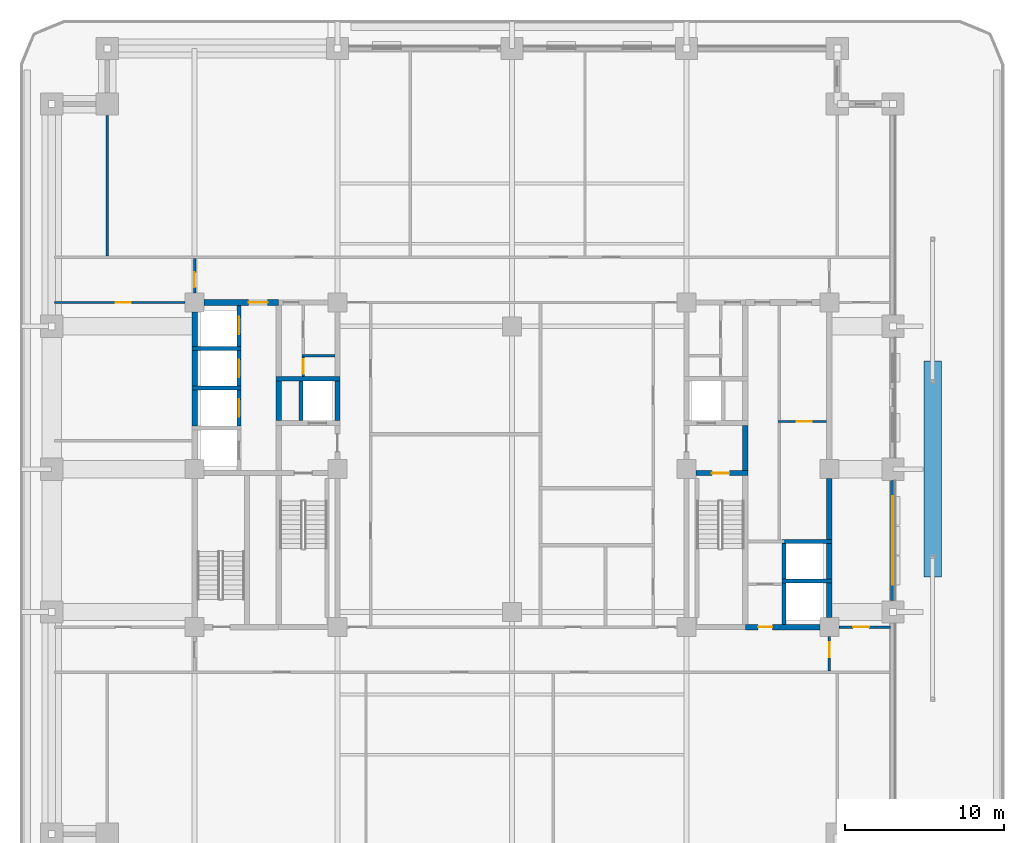
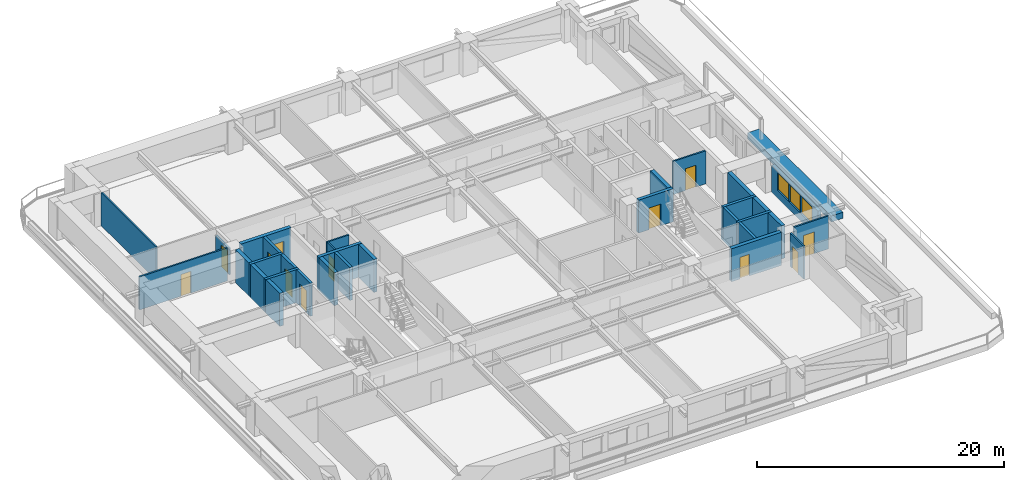
# One storey, part 7 of 18: 33 walls, 12 doors, 3 windows, 15 openings.
"""IFC4 building model written with IfcOpenShell, lengths in metres."""

from ifc_helpers import new_model, si_unit, direction, frame, frame_2d, origin, place, context, subcontext, project, spatial, rectangle, extrude, material, layer, layer_set, type_object, element, fill, save


model = new_model("IFC4")

# Units and contexts
model_context = context("Model", 3, precision=1e-05, world=origin(), true_north=direction((0.0, 1.0)))
body_context = subcontext(model_context, "Body", "Model", "MODEL_VIEW")
ifc_project = project(units=[si_unit("LENGTHUNIT", "METRE"), si_unit("AREAUNIT", "SQUARE_METRE"), si_unit("VOLUMEUNIT", "CUBIC_METRE"), si_unit("PLANEANGLEUNIT", "RADIAN"), si_unit("MASSUNIT", "GRAM", prefix="KILO")], contexts=[model_context])

# Site, building, storey
site_placement = place(None, origin())
site = spatial("IfcSite", under=ifc_project, at=site_placement, CompositionType="ELEMENT")
building_placement = place(site_placement, origin())
building = spatial("IfcBuilding", under=site, at=building_placement, Name="Zulmaris Gate Convention Tower", CompositionType="ELEMENT")
storey_placement = place(building_placement, frame((0.0, 0.0, 57.18994140625)))
storey = spatial("IfcBuildingStorey", under=building, at=storey_placement, Name="L13", CompositionType="ELEMENT", Elevation=57.18994140625)

# Walls
ifc_material_1 = material(Name="Concrete C50/60", Category="concrete")
ifc_layer_1 = layer(ifc_material_1, 0.25, Name="Concrete C50/60")
ifc_layer_set_1 = layer_set([ifc_layer_1], Name="Concrete C50/60")
wall_type_1 = type_object("IfcWallType", Name="CORE-250", PredefinedType="SOLIDWALL", material=ifc_layer_set_1)
for number, where, z_axis, x_axis, name in (
    (1, (17.02490234375, -7.050048828125, 0.0), (0.0, 0.0, 1.0), (1.0, 0.0, 0.0), "WL-L13-005"),
    (2, (17.02490234375, -4.550048828125, 0.0), (0.0, 0.0, 1.0), (1.0, 0.0, 0.0), "WL-L13-006"),
):
    element("IfcWall", number, at=place(storey_placement, frame(where, z_axis=z_axis, x_axis=x_axis)), inside=storey, type_object=wall_type_1, Name=name, PredefinedType="SOLIDWALL", context=body_context, shape_type="SweptSolid", body=[
        extrude(rectangle(XDim=3.150146484375, YDim=0.25, at=frame_2d((1.5751953125, 0.0))), origin(), (0.0, 0.0, 1.0), 3.27001953125),
    ])
for number, where, z_axis, x_axis, name in (
    (3, (-20.175048828125, 5.10009765625, 0.0), (0.0, 0.0, 1.0), (1.0, 0.0, 0.0), "WL-L13-012"),
    (4, (-20.175048828125, 7.60009765625, 0.0), (0.0, 0.0, 1.0), (1.0, 0.0, 0.0), "WL-L13-015"),
):
    element("IfcWall", number, at=place(storey_placement, frame(where, z_axis=z_axis, x_axis=x_axis)), inside=storey, type_object=wall_type_1, Name=name, PredefinedType="SOLIDWALL", context=body_context, shape_type="SweptSolid", body=[
        extrude(rectangle(XDim=3.10009765625, YDim=0.25, at=frame_2d((1.550048828125, 0.0))), origin(), (0.0, 0.0, 1.0), 3.27001953125),
    ])

# Wall, opening, door
wall_1_placement = place(storey_placement, frame((-17.199951171875, 2.72705078125, 0.0), z_axis=(0.0, 0.0, 1.0), x_axis=(0.0, 1.0, 0.0)))
wall_1 = element("IfcWall", 5, at=wall_1_placement, inside=storey, type_object=wall_type_1, Name="WL-L13-043", PredefinedType="SOLIDWALL", context=body_context, shape_type="SweptSolid", body=[
    extrude(rectangle(XDim=2.245849609375, YDim=0.25, at=frame_2d((1.123046875, 0.0))), origin(), (0.0, 0.0, 1.0), 3.27001953125),
])
opening_1_placement = place(wall_1_placement, frame((0.572998046875, 0.0, 0.0)))
opening_1 = element("IfcOpeningElement", 6, at=opening_1_placement, cuts=wall_1, Name="Opening D-06", PredefinedType="OPENING", context=body_context, shape_type="SweptSolid", body=[
    extrude(rectangle(XDim=1.10009765625, YDim=2.199951171875, at=frame_2d((0.550048828125, 1.10009765625))), frame((0.0, 0.135009765625, 0.0), z_axis=(0.0, -1.0, 0.0), x_axis=(1.0, 0.0, 0.0)), (0.0, 0.0, 1.0), 0.27001953125),
])
ifc_material_2 = material(Name="Brushed Stainless Steel", Category="steel")
door_type_1 = type_object("IfcDoorType", Name="LD-1100", OperationType="NOTDEFINED", PredefinedType="DOOR", material=ifc_material_2)
door_1_placement = place(opening_1_placement, origin())
door_1 = element("IfcDoor", 7, at=door_1_placement, inside=storey, type_object=door_type_1, Name="L13 Lift Landing Door LP-02 16", OperationType="SLIDING_TO_LEFT", OverallHeight=2.199951171875, OverallWidth=1.10009765625, PredefinedType="DOOR", context=body_context, shape_type="SweptSolid", body=[
    extrude(rectangle(XDim=1.10009765625, YDim=2.199951171875, at=frame_2d((0.550048828125, 1.10009765625))), frame((0.0, 0.02490234375, 0.0), z_axis=(0.0, -1.0, 0.0), x_axis=(1.0, 0.0, 0.0)), (0.0, 0.0, 1.0), 0.050048828125),
])
fill(opening_1, door_1)

wall_2_placement = place(storey_placement, frame((-17.199951171875, 5.22705078125, 0.0), z_axis=(0.0, 0.0, 1.0), x_axis=(0.0, 1.0, 0.0)))
wall_2 = element("IfcWall", 8, at=wall_2_placement, inside=storey, type_object=wall_type_1, Name="WL-L13-044", PredefinedType="SOLIDWALL", context=body_context, shape_type="SweptSolid", body=[
    extrude(rectangle(XDim=2.245849609375, YDim=0.25, at=frame_2d((1.123046875, 0.0))), origin(), (0.0, 0.0, 1.0), 3.27001953125),
])
opening_2_placement = place(wall_2_placement, frame((0.572998046875, 0.0, 0.0)))
opening_2 = element("IfcOpeningElement", 9, at=opening_2_placement, cuts=wall_2, Name="Opening D-06", PredefinedType="OPENING", context=body_context, shape_type="SweptSolid", body=[
    extrude(rectangle(XDim=1.10009765625, YDim=2.199951171875, at=frame_2d((0.550048828125, 1.10009765625))), frame((0.0, 0.135009765625, 0.0), z_axis=(0.0, -1.0, 0.0), x_axis=(1.0, 0.0, 0.0)), (0.0, 0.0, 1.0), 0.27001953125),
])
door_2_placement = place(opening_2_placement, origin())
door_2 = element("IfcDoor", 10, at=door_2_placement, inside=storey, type_object=door_type_1, Name="L13 Lift Landing Door LP-03 17", OperationType="SLIDING_TO_LEFT", OverallHeight=2.199951171875, OverallWidth=1.10009765625, PredefinedType="DOOR", context=body_context, shape_type="SweptSolid", body=[
    extrude(rectangle(XDim=1.10009765625, YDim=2.199951171875, at=frame_2d((0.550048828125, 1.10009765625))), frame((0.0, 0.02490234375, 0.0), z_axis=(0.0, -1.0, 0.0), x_axis=(1.0, 0.0, 0.0)), (0.0, 0.0, 1.0), 0.050048828125),
])
fill(opening_2, door_2)

wall_3_placement = place(storey_placement, frame((-17.199951171875, 7.72705078125, 0.0), z_axis=(0.0, 0.0, 1.0), x_axis=(0.0, 1.0, 0.0)))
wall_3 = element("IfcWall", 11, at=wall_3_placement, inside=storey, type_object=wall_type_1, Name="WL-L13-045", PredefinedType="SOLIDWALL", context=body_context, shape_type="SweptSolid", body=[
    extrude(rectangle(XDim=2.595947265625, YDim=0.25, at=frame_2d((1.2978515625, 0.0))), origin(), (0.0, 0.0, 1.0), 3.27001953125),
])
opening_3_placement = place(wall_3_placement, frame((0.77294921875, 0.0, 0.0)))
opening_3 = element("IfcOpeningElement", 12, at=opening_3_placement, cuts=wall_3, Name="Opening D-06", PredefinedType="OPENING", context=body_context, shape_type="SweptSolid", body=[
    extrude(rectangle(XDim=1.10009765625, YDim=2.199951171875, at=frame_2d((0.550048828125, 1.10009765625))), frame((0.0, 0.135009765625, 0.0), z_axis=(0.0, -1.0, 0.0), x_axis=(1.0, 0.0, 0.0)), (0.0, 0.0, 1.0), 0.27001953125),
])
door_3_placement = place(opening_3_placement, origin())
door_3 = element("IfcDoor", 13, at=door_3_placement, inside=storey, type_object=door_type_1, Name="L13 Lift Landing Door LP-04 18", OperationType="SLIDING_TO_LEFT", OverallHeight=2.199951171875, OverallWidth=1.10009765625, PredefinedType="DOOR", context=body_context, shape_type="SweptSolid", body=[
    extrude(rectangle(XDim=1.10009765625, YDim=2.199951171875, at=frame_2d((0.550048828125, 1.10009765625))), frame((0.0, 0.02490234375, 0.0), z_axis=(0.0, -1.0, 0.0), x_axis=(1.0, 0.0, 0.0)), (0.0, 0.0, 1.0), 0.050048828125),
])
fill(opening_3, door_3)

# Walls
wall_4_placement = place(storey_placement, frame((-13.300048828125, 3.052001953125, 0.0), z_axis=(0.0, 0.0, 1.0), x_axis=(0.0, 1.0, 0.0)))
element("IfcWall", 14, at=wall_4_placement, inside=storey, type_object=wall_type_1, Name="WL-L13-051", PredefinedType="SOLIDWALL", context=body_context, shape_type="SweptSolid", body=[
    extrude(rectangle(XDim=2.49609375, YDim=0.25, at=frame_2d((1.248046875, 0.0))), origin(), (0.0, 0.0, 1.0), 3.27001953125),
])
wall_5_placement = place(storey_placement, frame((17.14990234375, -9.77294921875, 0.0), z_axis=(0.0, 0.0, 1.0), x_axis=(0.0, 1.0, 0.0)))
element("IfcWall", 15, at=wall_5_placement, inside=storey, type_object=wall_type_1, Name="WL-L13-067", PredefinedType="SOLIDWALL", context=body_context, shape_type="SweptSolid", body=[
    extrude(rectangle(XDim=2.595947265625, YDim=0.25, at=frame_2d((1.2978515625, 0.0))), origin(), (0.0, 0.0, 1.0), 3.27001953125),
])
wall_6_placement = place(storey_placement, frame((17.14990234375, -6.923095703125, 0.0), z_axis=(0.0, 0.0, 1.0), x_axis=(0.0, 1.0, 0.0)))
element("IfcWall", 16, at=wall_6_placement, inside=storey, type_object=wall_type_1, Name="WL-L13-068", PredefinedType="SOLIDWALL", context=body_context, shape_type="SweptSolid", body=[
    extrude(rectangle(XDim=2.24609375, YDim=0.25, at=frame_2d((1.123046875, 0.0))), origin(), (0.0, 0.0, 1.0), 3.27001953125),
])

# Wall, opening, door
ifc_layer_2 = layer(ifc_material_1, 0.300048828125, Name="Concrete C50/60")
ifc_layer_set_2 = layer_set([ifc_layer_2], Name="Concrete C50/60")
wall_type_2 = type_object("IfcWallType", Name="CORE-300", PredefinedType="SHEAR", material=ifc_layer_set_2)
wall_7_placement = place(storey_placement, frame((11.60400390625, -0.25, 0.0), z_axis=(0.0, 0.0, 1.0), x_axis=(1.0, 0.0, 0.0)))
wall_7 = element("IfcWall", 17, at=wall_7_placement, inside=storey, type_object=wall_type_2, Name="WL-L13-008", PredefinedType="SHEAR", context=body_context, shape_type="SweptSolid", body=[
    extrude(rectangle(XDim=3.27099609375, YDim=0.300048828125, at=frame_2d((1.635498046875, 0.0))), origin(), (0.0, 0.0, 1.0), 3.27001953125),
])
opening_4_placement = place(wall_7_placement, frame((0.99609375, 0.0, 0.0)))
opening_4 = element("IfcOpeningElement", 18, at=opening_4_placement, cuts=wall_7, Name="Opening D-08", PredefinedType="OPENING", context=body_context, shape_type="SweptSolid", body=[
    extrude(rectangle(XDim=1.10009765625, YDim=2.14990234375, at=frame_2d((0.550048828125, 1.074951171875))), frame((0.0, 0.16015625, 0.0), z_axis=(0.0, -1.0, 0.0), x_axis=(1.0, 0.0, 0.0)), (0.0, 0.0, 1.0), 0.320068359375),
])
ifc_material_3 = material(Name="Fire-Rated Steel", Category="steel")
door_type_2 = type_object("IfcDoorType", Name="DR-1100-FD", OperationType="NOTDEFINED", PredefinedType="DOOR", material=ifc_material_3)
door_4_placement = place(opening_4_placement, origin())
door_4 = element("IfcDoor", 19, at=door_4_placement, inside=storey, type_object=door_type_2, Name="L13 Exit Stair ST-2 Door 04", OperationType="SINGLE_SWING_LEFT", OverallHeight=2.14990234375, OverallWidth=1.10009765625, PredefinedType="DOOR", context=body_context, shape_type="SweptSolid", body=[
    extrude(rectangle(XDim=1.10009765625, YDim=2.14990234375, at=frame_2d((0.550048828125, 1.074951171875))), frame((0.0, 0.02490234375, 0.0), z_axis=(0.0, -1.0, 0.0), x_axis=(1.0, 0.0, 0.0)), (0.0, 0.0, 1.0), 0.050048828125),
])
fill(opening_4, door_4)

# Walls
wall_8_placement = place(storey_placement, frame((-14.875, 5.699951171875, 0.0), z_axis=(0.0, 0.0, 1.0), x_axis=(1.0, 0.0, 0.0)))
element("IfcWall", 20, at=wall_8_placement, inside=storey, type_object=wall_type_2, Name="WL-L13-013", PredefinedType="SHEAR", context=body_context, shape_type="SweptSolid", body=[
    extrude(rectangle(XDim=4.02490234375, YDim=0.300048828125, at=frame_2d((2.012451171875, 0.0))), origin(), (0.0, 0.0, 1.0), 3.27001953125),
])
wall_9_placement = place(storey_placement, frame((-11.0, 3.052001953125, 0.0), z_axis=(0.0, 0.0, 1.0), x_axis=(0.0, 1.0, 0.0)))
element("IfcWall", 21, at=wall_9_placement, inside=storey, type_object=wall_type_2, Name="WL-L13-055", PredefinedType="SHEAR", context=body_context, shape_type="SweptSolid", body=[
    extrude(rectangle(XDim=2.49609375, YDim=0.300048828125, at=frame_2d((1.248046875, 0.0))), origin(), (0.0, 0.0, 1.0), 3.27001953125),
])

# Wall, opening, door
ifc_material_4 = material(Name="Concrete C55/67", Category="concrete")
ifc_layer_3 = layer(ifc_material_4, 0.35009765625, Name="Concrete C55/67")
ifc_layer_set_3 = layer_set([ifc_layer_3], Name="Concrete C55/67")
wall_type_3 = type_object("IfcWallType", Name="CORE-350", PredefinedType="SHEAR", material=ifc_layer_set_3)
wall_10_placement = place(storey_placement, frame((14.699951171875, -9.949951171875, 0.0), z_axis=(0.0, 0.0, 1.0), x_axis=(1.0, 0.0, 0.0)))
wall_10 = element("IfcWall", 22, at=wall_10_placement, inside=storey, type_object=wall_type_3, Name="WL-L13-004", PredefinedType="SHEAR", context=body_context, shape_type="SweptSolid", body=[
    extrude(rectangle(XDim=4.696044921875, YDim=0.35009765625, at=frame_2d((2.34814453125, 0.0))), origin(), (0.0, 0.0, 1.0), 3.27001953125),
])
opening_5_placement = place(wall_10_placement, frame((0.800048828125, 0.0, 0.0)))
opening_5 = element("IfcOpeningElement", 23, at=opening_5_placement, cuts=wall_10, Name="Opening D-12", PredefinedType="OPENING", context=body_context, shape_type="SweptSolid", body=[
    extrude(rectangle(XDim=0.89990234375, YDim=2.14990234375, at=frame_2d((0.449951171875, 1.074951171875))), frame((0.0, 0.18505859375, 0.0), z_axis=(0.0, -1.0, 0.0), x_axis=(1.0, 0.0, 0.0)), (0.0, 0.0, 1.0), 0.3701171875),
])
ifc_material_5 = material(Name="Fire-Rated Timber", Category="wood")
door_type_3 = type_object("IfcDoorType", Name="DR-900-FD", OperationType="NOTDEFINED", PredefinedType="DOOR", material=ifc_material_5)
door_5_placement = place(opening_5_placement, origin())
door_5 = element("IfcDoor", 24, at=door_5_placement, inside=storey, type_object=door_type_3, Name="L13 East Cleaners Store Door 19", OperationType="SINGLE_SWING_LEFT", OverallHeight=2.14990234375, OverallWidth=0.89990234375, PredefinedType="DOOR", context=body_context, shape_type="SweptSolid", body=[
    extrude(rectangle(XDim=0.89990234375, YDim=2.14990234375, at=frame_2d((0.449951171875, 1.074951171875))), frame((0.0, 0.02490234375, 0.0), z_axis=(0.0, -1.0, 0.0), x_axis=(1.0, 0.0, 0.0)), (0.0, 0.0, 1.0), 0.050048828125),
])
fill(opening_5, door_5)

wall_11_placement = place(storey_placement, frame((-19.39599609375, 10.5, 0.0), z_axis=(0.0, 0.0, 1.0), x_axis=(1.0, 0.0, 0.0)))
wall_11 = element("IfcWall", 25, at=wall_11_placement, inside=storey, type_object=wall_type_3, Name="WL-L13-016", PredefinedType="SHEAR", context=body_context, shape_type="SweptSolid", body=[
    extrude(rectangle(XDim=4.696044921875, YDim=0.35009765625, at=frame_2d((2.34814453125, 0.0))), origin(), (0.0, 0.0, 1.0), 3.27001953125),
])
opening_6_placement = place(wall_11_placement, frame((2.7958984375, 0.0, 0.0)))
opening_6 = element("IfcOpeningElement", 26, at=opening_6_placement, cuts=wall_11, Name="Opening D-13", PredefinedType="OPENING", context=body_context, shape_type="SweptSolid", body=[
    extrude(rectangle(XDim=1.199951171875, YDim=2.14990234375, at=frame_2d((0.60009765625, 1.074951171875))), frame((0.0, 0.18505859375, 0.0), z_axis=(0.0, -1.0, 0.0), x_axis=(1.0, 0.0, 0.0)), (0.0, 0.0, 1.0), 0.3701171875),
])
door_type_4 = type_object("IfcDoorType", Name="DR-1200-FD", OperationType="NOTDEFINED", PredefinedType="DOOR", material=ifc_material_3)
door_6_placement = place(opening_6_placement, origin())
door_6 = element("IfcDoor", 27, at=door_6_placement, inside=storey, type_object=door_type_4, Name="L13 Low-Rise Lift Lobby Door 14", OperationType="SINGLE_SWING_RIGHT", OverallHeight=2.14990234375, OverallWidth=1.199951171875, PredefinedType="DOOR", context=body_context, shape_type="SweptSolid", body=[
    extrude(rectangle(XDim=1.199951171875, YDim=2.14990234375, at=frame_2d((0.60009765625, 1.074951171875))), frame((0.0, 0.02490234375, 0.0), z_axis=(0.0, -1.0, 0.0), x_axis=(1.0, 0.0, 0.0)), (0.0, 0.0, 1.0), 0.050048828125),
])
fill(opening_6, door_6)

# Walls
for number, where, z_axis, x_axis, name in (
    (28, (-20.0, 2.72705078125, 0.0), (0.0, 0.0, 1.0), (0.0, 1.0, 0.0), "WL-L13-039"),
    (29, (-20.0, 5.22705078125, 0.0), (0.0, 0.0, 1.0), (0.0, 1.0, 0.0), "WL-L13-040"),
):
    element("IfcWall", number, at=place(storey_placement, frame(where, z_axis=z_axis, x_axis=x_axis)), inside=storey, type_object=wall_type_3, Name=name, PredefinedType="SHEAR", context=body_context, shape_type="SweptSolid", body=[
        extrude(rectangle(XDim=2.245849609375, YDim=0.35009765625, at=frame_2d((1.123046875, 0.0))), origin(), (0.0, 0.0, 1.0), 3.27001953125),
    ])
wall_12_placement = place(storey_placement, frame((-20.0, 7.72705078125, 0.0), z_axis=(0.0, 0.0, 1.0), x_axis=(0.0, 1.0, 0.0)))
element("IfcWall", 30, at=wall_12_placement, inside=storey, type_object=wall_type_3, Name="WL-L13-041", PredefinedType="SHEAR", context=body_context, shape_type="SweptSolid", body=[
    extrude(rectangle(XDim=2.1689453125, YDim=0.35009765625, at=frame_2d((1.08447265625, 0.0))), origin(), (0.0, 0.0, 1.0), 3.27001953125),
])
wall_13_placement = place(storey_placement, frame((-14.699951171875, 3.052001953125, 0.0), z_axis=(0.0, 0.0, 1.0), x_axis=(0.0, 1.0, 0.0)))
element("IfcWall", 31, at=wall_13_placement, inside=storey, type_object=wall_type_3, Name="WL-L13-049", PredefinedType="SHEAR", context=body_context, shape_type="SweptSolid", body=[
    extrude(rectangle(XDim=2.49609375, YDim=0.35009765625, at=frame_2d((1.248046875, 0.0))), origin(), (0.0, 0.0, 1.0), 3.27001953125),
])
wall_14_placement = place(storey_placement, frame((14.699951171875, -0.097900390625, 0.0), z_axis=(0.0, 0.0, 1.0), x_axis=(0.0, 1.0, 0.0)))
element("IfcWall", 32, at=wall_14_placement, inside=storey, type_object=wall_type_3, Name="WL-L13-064", PredefinedType="SHEAR", context=body_context, shape_type="SweptSolid", body=[
    extrude(rectangle(XDim=2.845947265625, YDim=0.35009765625, at=frame_2d((1.4228515625, 0.0))), origin(), (0.0, 0.0, 1.0), 3.27001953125),
])
wall_15_placement = place(storey_placement, frame((20.0, -9.345947265625, 0.0), z_axis=(0.0, 0.0, 1.0), x_axis=(0.0, 1.0, 0.0)))
element("IfcWall", 33, at=wall_15_placement, inside=storey, type_object=wall_type_3, Name="WL-L13-069", PredefinedType="SHEAR", context=body_context, shape_type="SweptSolid", body=[
    extrude(rectangle(XDim=2.1689453125, YDim=0.35009765625, at=frame_2d((1.08447265625, 0.0))), origin(), (0.0, 0.0, 1.0), 3.27001953125),
])
wall_16_placement = place(storey_placement, frame((20.0, -6.923095703125, 0.0), z_axis=(0.0, 0.0, 1.0), x_axis=(0.0, 1.0, 0.0)))
element("IfcWall", 34, at=wall_16_placement, inside=storey, type_object=wall_type_3, Name="WL-L13-070", PredefinedType="SHEAR", context=body_context, shape_type="SweptSolid", body=[
    extrude(rectangle(XDim=2.24609375, YDim=0.35009765625, at=frame_2d((1.123046875, 0.0))), origin(), (0.0, 0.0, 1.0), 3.27001953125),
])
wall_17_placement = place(storey_placement, frame((20.0, -4.423095703125, 0.0), z_axis=(0.0, 0.0, 1.0), x_axis=(0.0, 1.0, 0.0)))
element("IfcWall", 35, at=wall_17_placement, inside=storey, type_object=wall_type_3, Name="WL-L13-071", PredefinedType="SHEAR", context=body_context, shape_type="SweptSolid", body=[
    extrude(rectangle(XDim=3.819091796875, YDim=0.35009765625, at=frame_2d((1.90966796875, 0.0))), origin(), (0.0, 0.0, 1.0), 3.27001953125),
])

# Wall, opening, door
ifc_material_6 = material(Name="Gypsum Metal Stud Partition")
ifc_layer_4 = layer(ifc_material_6, 0.14990234375, Name="Gypsum Metal Stud Partition")
ifc_layer_set_4 = layer_set([ifc_layer_4], Name="Gypsum Metal Stud Partition")
wall_type_4 = type_object("IfcWallType", Name="PART-150", PredefinedType="PARTITIONING", material=ifc_layer_set_4)
wall_18_placement = place(storey_placement, frame((20.60595703125, -9.949951171875, 0.0), z_axis=(0.0, 0.0, 1.0), x_axis=(1.0, 0.0, 0.0)))
wall_18 = element("IfcWall", 36, at=wall_18_placement, inside=storey, type_object=wall_type_4, Name="WL-L13-023", PredefinedType="PARTITIONING", context=body_context, shape_type="SweptSolid", body=[
    extrude(rectangle(XDim=3.22900390625, YDim=0.14990234375, at=frame_2d((1.614501953125, 0.0))), origin(), (0.0, 0.0, 1.0), 3.27001953125),
])
opening_7_placement = place(wall_18_placement, frame((0.89404296875, 0.0, 0.0)))
opening_7 = element("IfcOpeningElement", 37, at=opening_7_placement, cuts=wall_18, Name="Opening D-10", PredefinedType="OPENING", context=body_context, shape_type="SweptSolid", body=[
    extrude(rectangle(XDim=1.0, YDim=2.14990234375, at=frame_2d((0.5, 1.074951171875))), frame((0.0, 0.0849609375, 0.0), z_axis=(0.0, -1.0, 0.0), x_axis=(1.0, 0.0, 0.0)), (0.0, 0.0, 1.0), 0.169921875),
])
door_type_5 = type_object("IfcDoorType", Name="DR-1000-FD", OperationType="NOTDEFINED", PredefinedType="DOOR", material=ifc_material_5)
door_7_placement = place(opening_7_placement, origin())
door_7 = element("IfcDoor", 38, at=door_7_placement, inside=storey, type_object=door_type_5, Name="L13 East Workplace South Door 47", OperationType="SINGLE_SWING_LEFT", OverallHeight=2.14990234375, OverallWidth=1.0, PredefinedType="DOOR", context=body_context, shape_type="SweptSolid", body=[
    extrude(rectangle(XDim=1.0, YDim=2.14990234375, at=frame_2d((0.5, 1.074951171875))), frame((0.0, 0.02490234375, 0.0), z_axis=(0.0, -1.0, 0.0), x_axis=(1.0, 0.0, 0.0)), (0.0, 0.0, 1.0), 0.050048828125),
])
fill(opening_7, door_7)

wall_19_placement = place(storey_placement, frame((16.77490234375, 3.0, 0.0), z_axis=(0.0, 0.0, 1.0), x_axis=(1.0, 0.0, 0.0)))
wall_19 = element("IfcWall", 39, at=wall_19_placement, inside=storey, type_object=wall_type_4, Name="WL-L13-030", PredefinedType="PARTITIONING", context=body_context, shape_type="SweptSolid", body=[
    extrude(rectangle(XDim=3.047119140625, YDim=0.14990234375, at=frame_2d((1.5234375, 0.0))), origin(), (0.0, 0.0, 1.0), 3.27001953125),
])
opening_8_placement = place(wall_19_placement, frame((1.169921875, 0.0, 0.0)))
opening_8 = element("IfcOpeningElement", 40, at=opening_8_placement, cuts=wall_19, Name="Opening D-11", PredefinedType="OPENING", context=body_context, shape_type="SweptSolid", body=[
    extrude(rectangle(XDim=0.949951171875, YDim=2.14990234375, at=frame_2d((0.47509765625, 1.074951171875))), frame((0.0, 0.0849609375, 0.0), z_axis=(0.0, -1.0, 0.0), x_axis=(1.0, 0.0, 0.0)), (0.0, 0.0, 1.0), 0.169921875),
])
door_type_6 = type_object("IfcDoorType", Name="DR-950-FD", OperationType="NOTDEFINED", PredefinedType="DOOR", material=ifc_material_5)
door_8_placement = place(opening_8_placement, origin())
door_8 = element("IfcDoor", 41, at=door_8_placement, inside=storey, type_object=door_type_6, Name="L13 East Equipment Door 23", OperationType="SINGLE_SWING_LEFT", OverallHeight=2.14990234375, OverallWidth=0.949951171875, PredefinedType="DOOR", context=body_context, shape_type="SweptSolid", body=[
    extrude(rectangle(XDim=0.949951171875, YDim=2.14990234375, at=frame_2d((0.47509765625, 1.074951171875))), frame((0.0, 0.02490234375, 0.0), z_axis=(0.0, -1.0, 0.0), x_axis=(1.0, 0.0, 0.0)), (0.0, 0.0, 1.0), 0.050048828125),
])
fill(opening_8, door_8)

# Wall
wall_20_placement = place(storey_placement, frame((-13.22509765625, 7.14990234375, 0.0), z_axis=(0.0, 0.0, 1.0), x_axis=(1.0, 0.0, 0.0)))
element("IfcWall", 42, at=wall_20_placement, inside=storey, type_object=wall_type_4, Name="WL-L13-031", PredefinedType="PARTITIONING", context=body_context, shape_type="SweptSolid", body=[
    extrude(rectangle(XDim=2.072021484375, YDim=0.14990234375, at=frame_2d((1.0361328125, 0.0))), origin(), (0.0, 0.0, 1.0), 3.27001953125),
])

# Wall, opening, door
wall_21_placement = place(storey_placement, frame((-28.8349609375, 10.5, 0.0), z_axis=(0.0, 0.0, 1.0), x_axis=(1.0, 0.0, 0.0)))
wall_21 = element("IfcWall", 43, at=wall_21_placement, inside=storey, type_object=wall_type_4, Name="WL-L13-033", PredefinedType="PARTITIONING", context=body_context, shape_type="SweptSolid", body=[
    extrude(rectangle(XDim=8.22900390625, YDim=0.14990234375, at=frame_2d((4.114501953125, 0.0))), origin(), (0.0, 0.0, 1.0), 3.27001953125),
])
opening_9_placement = place(wall_21_placement, frame((3.860107421875, 0.0, 0.0)))
opening_9 = element("IfcOpeningElement", 44, at=opening_9_placement, cuts=wall_21, Name="Opening D-11", PredefinedType="OPENING", context=body_context, shape_type="SweptSolid", body=[
    extrude(rectangle(XDim=0.949951171875, YDim=2.14990234375, at=frame_2d((0.47509765625, 1.074951171875))), frame((0.0, 0.0849609375, 0.0), z_axis=(0.0, -1.0, 0.0), x_axis=(1.0, 0.0, 0.0)), (0.0, 0.0, 1.0), 0.169921875),
])
door_9_placement = place(opening_9_placement, origin())
door_9 = element("IfcDoor", 45, at=door_9_placement, inside=storey, type_object=door_type_6, Name="L13 NW Partner Door 42", OperationType="SINGLE_SWING_RIGHT", OverallHeight=2.14990234375, OverallWidth=0.949951171875, PredefinedType="DOOR", context=body_context, shape_type="SweptSolid", body=[
    extrude(rectangle(XDim=0.949951171875, YDim=2.14990234375, at=frame_2d((0.47509765625, 1.074951171875))), frame((0.0, 0.02490234375, 0.0), z_axis=(0.0, -1.0, 0.0), x_axis=(1.0, 0.0, 0.0)), (0.0, 0.0, 1.0), 0.050048828125),
])
fill(opening_9, door_9)

# Wall
wall_22_placement = place(storey_placement, frame((-25.5, 13.427978515625, 0.0), z_axis=(0.0, 0.0, 1.0), x_axis=(0.0, 1.0, 0.0)))
element("IfcWall", 46, at=wall_22_placement, inside=storey, type_object=wall_type_4, Name="WL-L13-073", PredefinedType="PARTITIONING", context=body_context, shape_type="SweptSolid", body=[
    extrude(rectangle(XDim=8.865966796875, YDim=0.14990234375, at=frame_2d((4.43310546875, 0.0))), origin(), (0.0, 0.0, 1.0), 3.27001953125),
])

# Wall, opening, door
wall_23_placement = place(storey_placement, frame((-20.0, 11.10595703125, 0.0), z_axis=(0.0, 0.0, 1.0), x_axis=(0.0, 1.0, 0.0)))
wall_23 = element("IfcWall", 47, at=wall_23_placement, inside=storey, type_object=wall_type_4, Name="WL-L13-075", PredefinedType="PARTITIONING", context=body_context, shape_type="SweptSolid", body=[
    extrude(rectangle(XDim=2.166015625, YDim=0.14990234375, at=frame_2d((1.0830078125, 0.0))), origin(), (0.0, 0.0, 1.0), 2.610107421875),
])
opening_10_placement = place(wall_23_placement, frame((0.34912109375, 0.0, 0.0)))
opening_10 = element("IfcOpeningElement", 48, at=opening_10_placement, cuts=wall_23, Name="Opening D-11", PredefinedType="OPENING", context=body_context, shape_type="SweptSolid", body=[
    extrude(rectangle(XDim=0.949951171875, YDim=2.14990234375, at=frame_2d((0.47509765625, 1.074951171875))), frame((0.0, 0.0849609375, 0.0), z_axis=(0.0, -1.0, 0.0), x_axis=(1.0, 0.0, 0.0)), (0.0, 0.0, 1.0), 0.169921875),
])
door_10_placement = place(opening_10_placement, origin())
door_10 = element("IfcDoor", 49, at=door_10_placement, inside=storey, type_object=door_type_6, Name="L13 NW Spur Door 40", OperationType="SINGLE_SWING_RIGHT", OverallHeight=2.14990234375, OverallWidth=0.949951171875, PredefinedType="DOOR", context=body_context, shape_type="SweptSolid", body=[
    extrude(rectangle(XDim=0.949951171875, YDim=2.14990234375, at=frame_2d((0.47509765625, 1.074951171875))), frame((0.0, 0.02490234375, 0.0), z_axis=(0.0, -1.0, 0.0), x_axis=(1.0, 0.0, 0.0)), (0.0, 0.0, 1.0), 0.050048828125),
])
fill(opening_10, door_10)

wall_24_placement = place(storey_placement, frame((-13.14990234375, 5.85302734375, 0.0), z_axis=(0.0, 0.0, 1.0), x_axis=(0.0, 1.0, 0.0)))
wall_24 = element("IfcWall", 50, at=wall_24_placement, inside=storey, type_object=wall_type_4, Name="WL-L13-076", PredefinedType="PARTITIONING", context=body_context, shape_type="SweptSolid", body=[
    extrude(rectangle(XDim=1.218994140625, YDim=0.14990234375, at=frame_2d((0.609375, 0.0))), origin(), (0.0, 0.0, 1.0), 3.27001953125),
])
opening_11_placement = place(wall_24_placement, frame((0.1689453125, 0.0, 0.0)))
opening_11 = element("IfcOpeningElement", 51, at=opening_11_placement, cuts=wall_24, Name="Opening D-12", PredefinedType="OPENING", context=body_context, shape_type="SweptSolid", body=[
    extrude(rectangle(XDim=0.89990234375, YDim=2.14990234375, at=frame_2d((0.449951171875, 1.074951171875))), frame((0.0, 0.0849609375, 0.0), z_axis=(0.0, -1.0, 0.0), x_axis=(1.0, 0.0, 0.0)), (0.0, 0.0, 1.0), 0.169921875),
])
door_11_placement = place(opening_11_placement, origin())
door_11 = element("IfcDoor", 52, at=door_11_placement, inside=storey, type_object=door_type_3, Name="L13 Stationery Closet Door 08", OperationType="SINGLE_SWING_RIGHT", OverallHeight=2.14990234375, OverallWidth=0.89990234375, PredefinedType="DOOR", context=body_context, shape_type="SweptSolid", body=[
    extrude(rectangle(XDim=0.89990234375, YDim=2.14990234375, at=frame_2d((0.449951171875, 1.074951171875))), frame((0.0, 0.02490234375, 0.0), z_axis=(0.0, -1.0, 0.0), x_axis=(1.0, 0.0, 0.0)), (0.0, 0.0, 1.0), 0.050048828125),
])
fill(opening_11, door_11)

wall_25_placement = place(storey_placement, frame((20.0, -12.721923828125, 0.0), z_axis=(0.0, 0.0, 1.0), x_axis=(0.0, 1.0, 0.0)))
wall_25 = element("IfcWall", 53, at=wall_25_placement, inside=storey, type_object=wall_type_4, Name="WL-L13-096", PredefinedType="PARTITIONING", context=body_context, shape_type="SweptSolid", body=[
    extrude(rectangle(XDim=2.166015625, YDim=0.14990234375, at=frame_2d((1.0830078125, 0.0))), origin(), (0.0, 0.0, 1.0), 3.27001953125),
])
opening_12_placement = place(wall_25_placement, frame((0.866943359375, 0.0, 0.0)))
opening_12 = element("IfcOpeningElement", 54, at=opening_12_placement, cuts=wall_25, Name="Opening D-11", PredefinedType="OPENING", context=body_context, shape_type="SweptSolid", body=[
    extrude(rectangle(XDim=0.949951171875, YDim=2.14990234375, at=frame_2d((0.47509765625, 1.074951171875))), frame((0.0, 0.0849609375, 0.0), z_axis=(0.0, -1.0, 0.0), x_axis=(1.0, 0.0, 0.0)), (0.0, 0.0, 1.0), 0.169921875),
])
door_12_placement = place(opening_12_placement, origin())
door_12 = element("IfcDoor", 55, at=door_12_placement, inside=storey, type_object=door_type_6, Name="L13 SE Spur Door 45", OperationType="SINGLE_SWING_LEFT", OverallHeight=2.14990234375, OverallWidth=0.949951171875, PredefinedType="DOOR", context=body_context, shape_type="SweptSolid", body=[
    extrude(rectangle(XDim=0.949951171875, YDim=2.14990234375, at=frame_2d((0.47509765625, 1.074951171875))), frame((0.0, 0.02490234375, 0.0), z_axis=(0.0, -1.0, 0.0), x_axis=(1.0, 0.0, 0.0)), (0.0, 0.0, 1.0), 0.050048828125),
])
fill(opening_12, door_12)

# Wall
ifc_material_7 = material(Name="Botanical Green Glazed Precast Concrete C40/50", Category="concrete")
ifc_layer_5 = layer(ifc_material_7, 0.419921875, Name="Botanical Green Glazed Precast Concrete C40/50")
ifc_layer_set_5 = layer_set([ifc_layer_5], Name="Botanical Green Glazed Precast Concrete C40/50")
wall_type_5 = type_object("IfcWallType", Name="PLANTER-CURB-200", PredefinedType="PARAPET", material=ifc_layer_set_5)
wall_26_placement = place(storey_placement, frame((26.5, -6.800048828125, -0.0400390625), z_axis=(0.0, 0.0, 1.0), x_axis=(0.0, 1.0, 0.0)))
element("IfcWall", 56, at=wall_26_placement, inside=storey, type_object=wall_type_5, Name="L13 Block-End Terrace Tree Planter Bed", PredefinedType="PARAPET", context=body_context, shape_type="SweptSolid", body=[
    extrude(rectangle(XDim=13.60009765625, YDim=1.10009765625, at=frame_2d((6.800048828125, 0.0))), origin(), (0.0, 0.0, 1.0), 0.60009765625),
])

# Wall, openings, windows
ifc_material_8 = material(Name="Precast concrete C40/50", Category="concrete")
ifc_layer_6 = layer(ifc_material_8, 0.300048828125, Name="Precast concrete C40/50")
ifc_layer_set_6 = layer_set([ifc_layer_6], Name="Precast concrete C40/50")
wall_type_6 = type_object("IfcWallType", Name="PRECAST-PIER-300", PredefinedType="STANDARD", material=ifc_layer_set_6)
wall_27_placement = place(storey_placement, frame((24.0, -8.27001953125, 0.0), z_axis=(0.0, 0.0, 1.0), x_axis=(0.0, 1.0, 0.0)))
wall_27 = element("IfcWall", 57, at=wall_27_placement, inside=storey, type_object=wall_type_6, Name="EW-L13-E-1_0", PredefinedType="STANDARD", context=body_context, shape_type="SweptSolid", body=[
    extrude(rectangle(XDim=7.5400390625, YDim=0.300048828125, at=frame_2d((3.77001953125, 0.0))), origin(), (0.0, 0.0, 1.0), 2.662109375),
])
opening_13_placement = place(wall_27_placement, frame((0.985107421875, 0.0, 0.780029296875)))
opening_13 = element("IfcOpeningElement", 58, at=opening_13_placement, cuts=wall_27, Name="Opening W-02", PredefinedType="OPENING", context=body_context, shape_type="SweptSolid", body=[
    extrude(rectangle(XDim=1.800048828125, YDim=1.719970703125, at=frame_2d((0.89990234375, 0.85986328125))), frame((0.0, 0.16015625, 0.0), z_axis=(0.0, -1.0, 0.0), x_axis=(1.0, 0.0, 0.0)), (0.0, 0.0, 1.0), 0.320068359375),
])
opening_14_placement = place(wall_27_placement, frame((2.8701171875, 0.0, 0.780029296875)))
opening_14 = element("IfcOpeningElement", 59, at=opening_14_placement, cuts=wall_27, Name="Opening W-02", PredefinedType="OPENING", context=body_context, shape_type="SweptSolid", body=[
    extrude(rectangle(XDim=1.800048828125, YDim=1.719970703125, at=frame_2d((0.89990234375, 0.85986328125))), frame((0.0, 0.16015625, 0.0), z_axis=(0.0, -1.0, 0.0), x_axis=(1.0, 0.0, 0.0)), (0.0, 0.0, 1.0), 0.320068359375),
])
opening_15_placement = place(wall_27_placement, frame((4.7548828125, 0.0, 0.780029296875)))
opening_15 = element("IfcOpeningElement", 60, at=opening_15_placement, cuts=wall_27, Name="Opening W-02", PredefinedType="OPENING", context=body_context, shape_type="SweptSolid", body=[
    extrude(rectangle(XDim=1.800048828125, YDim=1.719970703125, at=frame_2d((0.89990234375, 0.85986328125))), frame((0.0, 0.16015625, 0.0), z_axis=(0.0, -1.0, 0.0), x_axis=(1.0, 0.0, 0.0)), (0.0, 0.0, 1.0), 0.320068359375),
])
ifc_material_9 = material(Name="Low-E Laminated Double Glazing in Aluminium Frame", Category="aluminium")
window_type = type_object("IfcWindowType", Name="WIN-1800x2200", PartitioningType="SINGLE_PANEL", PredefinedType="WINDOW", material=ifc_material_9)
window_1_placement = place(opening_13_placement, origin())
window_1 = element("IfcWindow", 61, at=window_1_placement, inside=storey, type_object=window_type, Name="WN-EW-L13-E-1_0-1", OverallHeight=1.719970703125, OverallWidth=1.800048828125, PartitioningType="SINGLE_PANEL", PredefinedType="WINDOW", context=body_context, shape_type="SweptSolid", body=[
    extrude(rectangle(XDim=1.800048828125, YDim=1.719970703125, at=frame_2d((0.89990234375, 0.85986328125))), frame((0.0, 0.030029296875, 0.0), z_axis=(0.0, -1.0, 0.0), x_axis=(1.0, 0.0, 0.0)), (0.0, 0.0, 1.0), 0.06005859375),
])
fill(opening_13, window_1)
window_2_placement = place(opening_14_placement, origin())
window_2 = element("IfcWindow", 62, at=window_2_placement, inside=storey, type_object=window_type, Name="WN-EW-L13-E-1_0-2", OverallHeight=1.719970703125, OverallWidth=1.800048828125, PartitioningType="SINGLE_PANEL", PredefinedType="WINDOW", context=body_context, shape_type="SweptSolid", body=[
    extrude(rectangle(XDim=1.800048828125, YDim=1.719970703125, at=frame_2d((0.89990234375, 0.85986328125))), frame((0.0, 0.030029296875, 0.0), z_axis=(0.0, -1.0, 0.0), x_axis=(1.0, 0.0, 0.0)), (0.0, 0.0, 1.0), 0.06005859375),
])
fill(opening_14, window_2)
window_3_placement = place(opening_15_placement, origin())
window_3 = element("IfcWindow", 63, at=window_3_placement, inside=storey, type_object=window_type, Name="WN-EW-L13-E-1_0-3", OverallHeight=1.719970703125, OverallWidth=1.800048828125, PartitioningType="SINGLE_PANEL", PredefinedType="WINDOW", context=body_context, shape_type="SweptSolid", body=[
    extrude(rectangle(XDim=1.800048828125, YDim=1.719970703125, at=frame_2d((0.89990234375, 0.85986328125))), frame((0.0, 0.030029296875, 0.0), z_axis=(0.0, -1.0, 0.0), x_axis=(1.0, 0.0, 0.0)), (0.0, 0.0, 1.0), 0.06005859375),
])
fill(opening_15, window_3)

save(model, "model.ifc")
